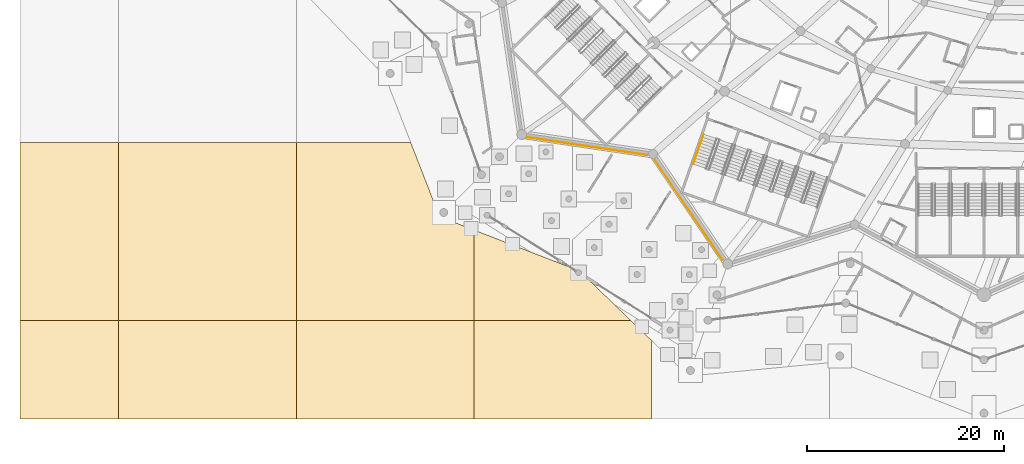
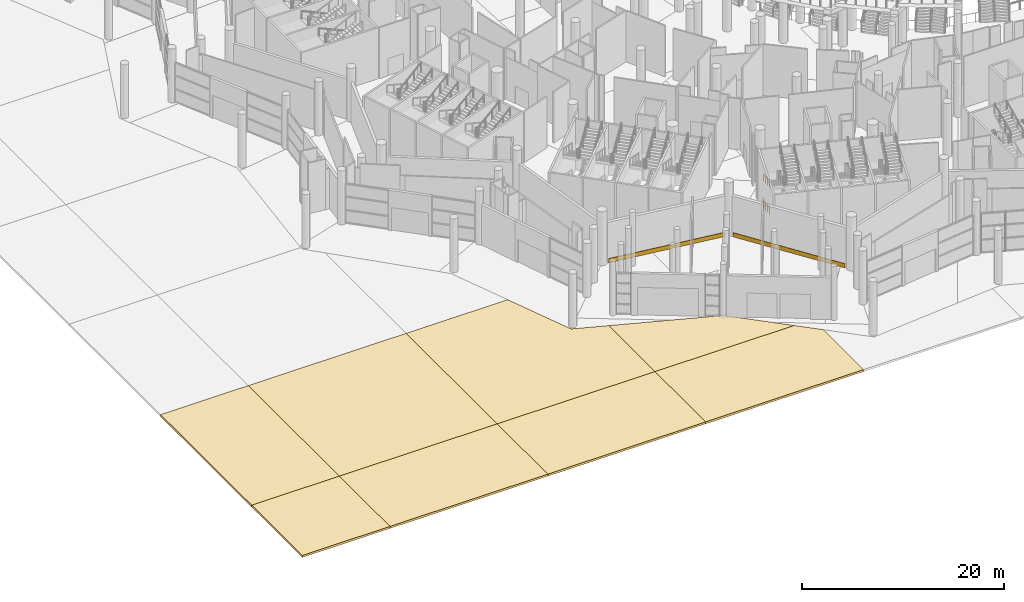
# One storey, part 183 of 255: 10 coverings, 2 railings.
"""IFC4 building model written with IfcOpenShell, lengths in metres."""

import ifcopenshell
import ifcopenshell.guid

model = None  # the IFC model being written
_history = None  # IfcOwnerHistory: only IFC2X3 demands one
_inside = {}  # id of a spatial element -> (the spatial element, [elements in it])
_under = {}  # id of a project, library or spatial element -> (it, [spatial elements below it])
_declared = {}  # id of a project -> (the project, [libraries it declares])
_typed = {}  # id of a type object -> (the type object, [elements of that type])
_made_of = {}  # id of a material, layer set ... -> (it, [elements and type objects made of it])


def new_model(schema):
    """Start an empty IFC model of exactly this schema.

    Asked for "IFC4X3", IfcOpenShell would pick the latest addendum, in which some entities
    have other attributes; the version numbers below select the first issue.
    IFC2X3 requires an IfcOwnerHistory on every rooted entity: one is made here for all.
    """
    global model, _history
    if schema == "IFC4X3":
        model = ifcopenshell.file(schema_version=(4, 3, 0, 0))
    else:
        model = ifcopenshell.file(schema=schema)
    _inside.clear()
    _under.clear()
    _declared.clear()
    _typed.clear()
    _made_of.clear()
    _history = None
    if model.schema == "IFC2X3":
        org = make("IfcOrganization", Name="unknown")
        user = make(
            "IfcPersonAndOrganization",
            ThePerson=make("IfcPerson", FamilyName="unknown"),
            TheOrganization=org,
        )
        app = make(
            "IfcApplication",
            ApplicationDeveloper=org,
            Version="unknown",
            ApplicationFullName="unknown",
            ApplicationIdentifier="unknown",
        )
        _history = make(
            "IfcOwnerHistory",
            OwningUser=user,
            OwningApplication=app,
            ChangeAction="ADDED",
            CreationDate=0,
        )
    return model


def make(cls, **values):
    """One entity of the class cls with the attributes given. An attribute that is None is left unset."""
    return model.create_entity(
        cls, **{name: value for name, value in values.items() if value is not None}
    )


def rooted(cls, **values):
    """An entity with a GlobalId (a new one), such as an element, a storey or a relation."""
    return make(cls, GlobalId=ifcopenshell.guid.new(), OwnerHistory=_history, **values)


def si_unit(unit_type, name, prefix=None):
    """IfcSIUnit, for example si_unit("LENGTHUNIT", "METRE", prefix="MILLI")."""
    return make("IfcSIUnit", UnitType=unit_type, Prefix=prefix, Name=name)


def assignment(units):
    """IfcUnitAssignment: the units of a project."""
    return None if units is None else make("IfcUnitAssignment", Units=units)


def point(xyz):
    """IfcCartesianPoint."""
    return None if xyz is None else make("IfcCartesianPoint", Coordinates=xyz)


def direction(xyz):
    """IfcDirection."""
    return None if xyz is None else make("IfcDirection", DirectionRatios=xyz)


def frame(location, z_axis=None, x_axis=None):
    """IfcAxis2Placement3D, a coordinate frame: its origin and axes. An axis left out is left unset."""
    return make(
        "IfcAxis2Placement3D",
        Location=point(location),
        Axis=direction(z_axis),
        RefDirection=direction(x_axis),
    )


def frame_2d(location, x_axis=None):
    """IfcAxis2Placement2D, a coordinate frame in the plane: its origin and x axis."""
    return make(
        "IfcAxis2Placement2D", Location=point(location), RefDirection=direction(x_axis)
    )


def origin():
    """The frame at (0, 0, 0) with its axes left unset."""
    return frame((0.0, 0.0, 0.0))


def origin_2d():
    """The frame at (0, 0) in the plane with its x axis left unset."""
    return frame_2d((0.0, 0.0))


def place(relative_to, where):
    """IfcLocalPlacement: puts the frame where relative to a parent placement (None: the world)."""
    return make(
        "IfcLocalPlacement", PlacementRelTo=relative_to, RelativePlacement=where
    )


def context(
    kind, dimensions, precision=None, world=None, true_north=None, identifier=None
):
    """IfcGeometricRepresentationContext, for example the 3D "Model" context."""
    return make(
        "IfcGeometricRepresentationContext",
        ContextIdentifier=identifier,
        ContextType=kind,
        CoordinateSpaceDimension=dimensions,
        Precision=precision,
        WorldCoordinateSystem=world,
        TrueNorth=true_north,
    )


def subcontext(parent, identifier, kind, view, scale=None):
    """IfcGeometricRepresentationSubContext, for example "Body" below "Model"."""
    return make(
        "IfcGeometricRepresentationSubContext",
        ContextIdentifier=identifier,
        ContextType=kind,
        ParentContext=parent,
        TargetScale=scale,
        TargetView=view,
    )


def project(units=None, contexts=None):
    """IfcProject with its units and contexts."""
    return rooted(
        "IfcProject",
        Name="project",
        RepresentationContexts=contexts,
        UnitsInContext=assignment(units),
    )


def spatial(cls, under=None, at=None, **own):
    """A site, building, storey or space (cls), placed at a placement, below another one or the project."""
    s = rooted(cls, ObjectPlacement=at, **own)
    if under is not None:
        _under.setdefault(under.id(), (under, []))[1].append(s)
    return s


def polyline(points):
    """IfcPolyline through the points."""
    return make("IfcPolyline", Points=[point(p) for p in points])


def profile(cls, at=None, kind="AREA", **sizes):
    """A parametric profile (cls). Its sizes go by their IFC names, for example OverallWidth=200.0."""
    return make(cls, ProfileType=kind, Position=at, **sizes)


def rectangle(**sizes):
    """IfcRectangleProfileDef."""
    return profile("IfcRectangleProfileDef", **sizes)


def circle(**sizes):
    """IfcCircleProfileDef."""
    return profile("IfcCircleProfileDef", **sizes)


def outline(outer, holes=None, kind="AREA"):
    """IfcArbitraryClosedProfileDef: a profile drawn as a closed curve; with holes, ...WithVoids."""
    if holes is None:
        return make("IfcArbitraryClosedProfileDef", ProfileType=kind, OuterCurve=outer)
    return make(
        "IfcArbitraryProfileDefWithVoids",
        ProfileType=kind,
        OuterCurve=outer,
        InnerCurves=holes,
    )


def extrude(swept, where, along, depth):
    """IfcExtrudedAreaSolid: the profile swept, set in the frame where, extruded along a direction by depth."""
    return make(
        "IfcExtrudedAreaSolid",
        SweptArea=swept,
        Position=where,
        ExtrudedDirection=direction(along),
        Depth=depth,
    )


def shape(context_of_items, identifier, shape_type, items):
    """IfcShapeRepresentation: the items that make up one representation, for example the "Body"."""
    return make(
        "IfcShapeRepresentation",
        ContextOfItems=context_of_items,
        RepresentationIdentifier=identifier,
        RepresentationType=shape_type,
        Items=items,
    )


def material(Name=None, Category=None):
    """IfcMaterial."""
    return make("IfcMaterial", Name=Name, Category=Category)


def layer(
    of_material, thickness, ventilated=None, Name=None, Category=None, Priority=None
):
    """IfcMaterialLayer: one layer of a wall or slab, of a material (None: an air gap)."""
    return make(
        "IfcMaterialLayer",
        Material=of_material,
        LayerThickness=thickness,
        IsVentilated=ventilated,
        Name=Name,
        Category=Category,
        Priority=Priority,
    )


def layer_set(layers, Name=None):
    """IfcMaterialLayerSet."""
    return make("IfcMaterialLayerSet", MaterialLayers=layers, LayerSetName=Name)


def made_of(thing, what):
    """Note that an element or type object is made of a material, layer set ...; save() writes the relation."""
    if what is not None:
        _made_of.setdefault(what.id(), (what, []))[1].append(thing)
    return thing


def type_object(cls, material=None, **own):
    """A type object (cls), such as IfcWallType, which elements share."""
    return made_of(rooted(cls, **own), material)


def element(
    cls,
    number,
    at=None,
    inside=None,
    cuts=None,
    type_object=None,
    material=None,
    context=None,
    identifier="Body",
    shape_type=None,
    held_by="IfcProductDefinitionShape",
    body=None,
    shapes=None,
    **own,
):
    """One element of the class cls, such as IfcWall. Its Tag is "e" and its number.

    at: its placement. inside: the storey or other place that contains it. cuts: it is an
    opening in that element (IfcRelVoidsElement). A single representation is given by context,
    identifier, shape_type and body (its items); several are given by shapes. held_by: the class
    of the entity that holds the representations. save() writes the other relations.
    """
    e = rooted(cls, Tag="e%d" % number, ObjectPlacement=at, **own)
    if body is not None:
        shapes = [shape(context, identifier, shape_type, body)]
    if shapes is not None:
        e.Representation = make(held_by, Representations=shapes)
    if inside is not None:
        _inside.setdefault(inside.id(), (inside, []))[1].append(e)
    if cuts is not None:
        rooted(
            "IfcRelVoidsElement", RelatingBuildingElement=cuts, RelatedOpeningElement=e
        )
    if type_object is not None:
        _typed.setdefault(type_object.id(), (type_object, []))[1].append(e)
    return made_of(e, material)


def aggregate(whole, parts):
    """IfcRelAggregates: a whole, such as a stair, and the parts it consists of."""
    return rooted("IfcRelAggregates", RelatingObject=whole, RelatedObjects=parts)


def save(model, path):
    """Write the relations noted so far, then the file.

    IfcRelAggregates (storeys below a building ...), IfcRelContainedInSpatialStructure (elements
    in a storey), IfcRelDefinesByType, IfcRelAssociatesMaterial and IfcRelDeclares: one each for
    every whole, place, type object, material and project.
    """
    for whole, parts in _under.values():
        aggregate(whole, parts)
    for where, things in _inside.values():
        rooted(
            "IfcRelContainedInSpatialStructure",
            RelatedElements=things,
            RelatingStructure=where,
        )
    for kind, things in _typed.values():
        rooted("IfcRelDefinesByType", RelatedObjects=things, RelatingType=kind)
    for what, things in _made_of.values():
        rooted("IfcRelAssociatesMaterial", RelatedObjects=things, RelatingMaterial=what)
    for by, libraries in _declared.values():
        rooted("IfcRelDeclares", RelatingContext=by, RelatedDefinitions=libraries)
    model.write(path)


model = new_model("IFC4")

# Units and contexts
model_context = context("Model", 3, precision=1e-05, world=origin(), true_north=direction((0.0, 1.0)))
body_context = subcontext(model_context, "Body", "Model", "MODEL_VIEW")
ifc_project = project(units=[si_unit("LENGTHUNIT", "METRE"), si_unit("AREAUNIT", "SQUARE_METRE"), si_unit("VOLUMEUNIT", "CUBIC_METRE"), si_unit("PLANEANGLEUNIT", "RADIAN"), si_unit("MASSUNIT", "GRAM", prefix="KILO")], contexts=[model_context])

# Site, building, storey
site_placement = place(None, origin())
site = spatial("IfcSite", under=ifc_project, at=site_placement, CompositionType="ELEMENT")
building_placement = place(site_placement, origin())
building = spatial("IfcBuilding", under=site, at=building_placement, Name="Meseta Stadium", CompositionType="ELEMENT")
storey_placement = place(building_placement, origin())
storey = spatial("IfcBuildingStorey", under=building, at=storey_placement, Name="L00", CompositionType="ELEMENT", Elevation=0.0)

# Coverings
ifc_material_1 = material(Name="Guadarrama granite cladding", Category="masonry")
ifc_layer_1 = layer(ifc_material_1, 0.06005859375)
ifc_layer_set_1 = layer_set([ifc_layer_1], Name="Granite plinth cladding 60")
covering_type_1 = type_object("IfcCoveringType", Name="Granite plinth cladding 60", PredefinedType="CLADDING", material=ifc_layer_set_1)
covering_1_placement = place(storey_placement, frame((-78.5205078125, -90.36865234375, 0.0), z_axis=(0.0, 0.0, 1.0), x_axis=(-0.989158319768, 0.146853050476, 0.0)))
element("IfcCovering", 1, at=covering_1_placement, inside=storey, type_object=covering_type_1, Name="Granite plinth L00 F40", PredefinedType="CLADDING", context=body_context, shape_type="SweptSolid", body=[
    extrude(rectangle(XDim=12.274169921875, YDim=0.06005859375, at=origin_2d()), origin(), (0.0, 0.0, 1.0), 0.5),
])
covering_2_placement = place(storey_placement, frame((-68.2607421875, -96.8154296875, 0.0), z_axis=(0.0, 0.0, 1.0), x_axis=(-0.561489943314, 0.827483560898, 0.0)))
element("IfcCovering", 2, at=covering_2_placement, inside=storey, type_object=covering_type_1, Name="Granite plinth L00 F41", PredefinedType="CLADDING", context=body_context, shape_type="SweptSolid", body=[
    extrude(rectangle(XDim=12.273193359375, YDim=0.06005859375, at=origin_2d()), origin(), (0.0, 0.0, 1.0), 0.5),
])
ifc_material_2 = material(Name="Guadarrama granite paving on bedding", Category="masonry")
ifc_layer_2 = layer(ifc_material_2, 0.25)
ifc_layer_set_2 = layer_set([ifc_layer_2], Name="Ground paving 250")
covering_type_2 = type_object("IfcCoveringType", Name="Ground paving 250", PredefinedType="FLOORING", material=ifc_layer_set_2)
covering_3_placement = place(storey_placement, frame((0.0, 0.0, -0.25)))
element("IfcCovering", 3, at=covering_3_placement, inside=storey, type_object=covering_type_2, Name="Forecourt paving 10", PredefinedType="FLOORING", context=body_context, shape_type="SweptSolid", body=[
    extrude(outline(polyline([(-72.0, -110.055908203125), (-74.130126953125, -108.0), (-90.0, -108.0), (-90.0, -118.0), (-72.0, -118.0), (-72.0, -110.055908203125)])), origin(), (0.0, 0.0, 1.0), 0.25),
])
covering_4_placement = place(storey_placement, frame((0.0, 0.0, -0.25)))
element("IfcCovering", 4, at=covering_4_placement, inside=storey, type_object=covering_type_2, Name="Forecourt paving 11", PredefinedType="FLOORING", context=body_context, shape_type="SweptSolid", body=[
    extrude(outline(polyline([(-136.0, -108.0), (-136.0, -118.0), (-126.0, -118.0), (-126.0, -108.0), (-136.0, -108.0)])), origin(), (0.0, 0.0, 1.0), 0.25),
])
covering_5_placement = place(storey_placement, frame((0.0, 0.0, -0.25)))
element("IfcCovering", 5, at=covering_5_placement, inside=storey, type_object=covering_type_2, Name="Forecourt paving 12", PredefinedType="FLOORING", context=body_context, shape_type="SweptSolid", body=[
    extrude(outline(polyline([(-126.0, -118.0), (-108.0, -118.0), (-108.0, -108.0), (-126.0, -108.0), (-126.0, -118.0)])), origin(), (0.0, 0.0, 1.0), 0.25),
])
covering_6_placement = place(storey_placement, frame((0.0, 0.0, -0.25)))
element("IfcCovering", 6, at=covering_6_placement, inside=storey, type_object=covering_type_2, Name="Forecourt paving 13", PredefinedType="FLOORING", context=body_context, shape_type="SweptSolid", body=[
    extrude(outline(polyline([(-108.0, -118.0), (-90.0, -118.0), (-90.0, -108.0), (-108.0, -108.0), (-108.0, -118.0)])), origin(), (0.0, 0.0, 1.0), 0.25),
])
covering_7_placement = place(storey_placement, frame((0.0, 0.0, -0.25)))
element("IfcCovering", 7, at=covering_7_placement, inside=storey, type_object=covering_type_2, Name="Forecourt paving 15", PredefinedType="FLOORING", context=body_context, shape_type="SweptSolid", body=[
    extrude(outline(polyline([(-74.130126953125, -108.0), (-79.111328125, -103.19189453125), (-79.119384765625, -103.095947265625), (-79.149658203125, -103.02294921875), (-79.19775390625, -102.960205078125), (-79.26025390625, -102.912109375), (-79.333251953125, -102.882080078125), (-79.41162109375, -102.87158203125), (-79.5537109375, -102.908447265625), (-90.0, -98.854736328125), (-90.0, -108.0), (-74.130126953125, -108.0)])), origin(), (0.0, 0.0, 1.0), 0.25),
])
covering_8_placement = place(storey_placement, frame((0.0, 0.0, -0.25)))
element("IfcCovering", 8, at=covering_8_placement, inside=storey, type_object=covering_type_2, Name="Forecourt paving 17", PredefinedType="FLOORING", context=body_context, shape_type="SweptSolid", body=[
    extrude(outline(polyline([(-90.0, -98.854736328125), (-93.49755859375, -97.49755859375), (-96.406982421875, -90.0), (-108.0, -90.0), (-108.0, -108.0), (-90.0, -108.0), (-90.0, -98.854736328125)])), origin(), (0.0, 0.0, 1.0), 0.25),
])
covering_9_placement = place(storey_placement, frame((0.0, 0.0, -0.25)))
element("IfcCovering", 9, at=covering_9_placement, inside=storey, type_object=covering_type_2, Name="Forecourt paving 18", PredefinedType="FLOORING", context=body_context, shape_type="SweptSolid", body=[
    extrude(outline(polyline([(-136.0, -90.0), (-136.0, -108.0), (-126.0, -108.0), (-126.0, -90.0), (-136.0, -90.0)])), origin(), (0.0, 0.0, 1.0), 0.25),
])
covering_10_placement = place(storey_placement, frame((0.0, 0.0, -0.25)))
element("IfcCovering", 10, at=covering_10_placement, inside=storey, type_object=covering_type_2, Name="Forecourt paving 19", PredefinedType="FLOORING", context=body_context, shape_type="SweptSolid", body=[
    extrude(outline(polyline([(-108.0, -108.0), (-108.0, -90.0), (-126.0, -90.0), (-126.0, -108.0), (-108.0, -108.0)])), origin(), (0.0, 0.0, 1.0), 0.25),
])

# Railings
ifc_material_3 = material(Name="Steel S355", Category="steel")
railing_type = type_object("IfcRailingType", Name="Stair handrail 900", PredefinedType="HANDRAIL", material=ifc_material_3)
for number, where, name in (
    (11, (-66.7431640625, -89.145751953125, 0.147705078125), "ST85 L00 handrail 1"),
    (12, (-66.7431640625, -89.145751953125, 3.397705078125), "ST85 L00 handrail 3"),
):
    element("IfcRailing", number, at=place(storey_placement, frame(where)), inside=storey, type_object=railing_type, Name=name, PredefinedType="HANDRAIL", context=body_context, shape_type="SweptSolid", body=[
        extrude(circle(Radius=0.02392578125, at=origin_2d()), frame((0.0, 0.0, 0.8759765625), z_axis=(-0.299858671601, -0.856976550022, 0.419137172986), x_axis=(0.943886898693, -0.330268863922, 0.0)), (0.0, 0.0, 1.0), 3.524658203125),
        extrude(circle(Radius=0.02099609375, at=origin_2d()), origin(), (0.0, 0.0, 1.0), 0.851806640625),
        extrude(circle(Radius=0.02099609375, at=origin_2d()), frame((-0.352294921875, -1.0068359375, 0.492431640625)), (0.0, 0.0, 1.0), 0.851806640625),
        extrude(circle(Radius=0.02099609375, at=origin_2d()), frame((-0.70458984375, -2.013671875, 0.98486328125)), (0.0, 0.0, 1.0), 0.851806640625),
        extrude(circle(Radius=0.02099609375, at=origin_2d()), frame((-1.056884765625, -3.0205078125, 1.477294921875)), (0.0, 0.0, 1.0), 0.851806640625),
    ])

save(model, "model.ifc")
